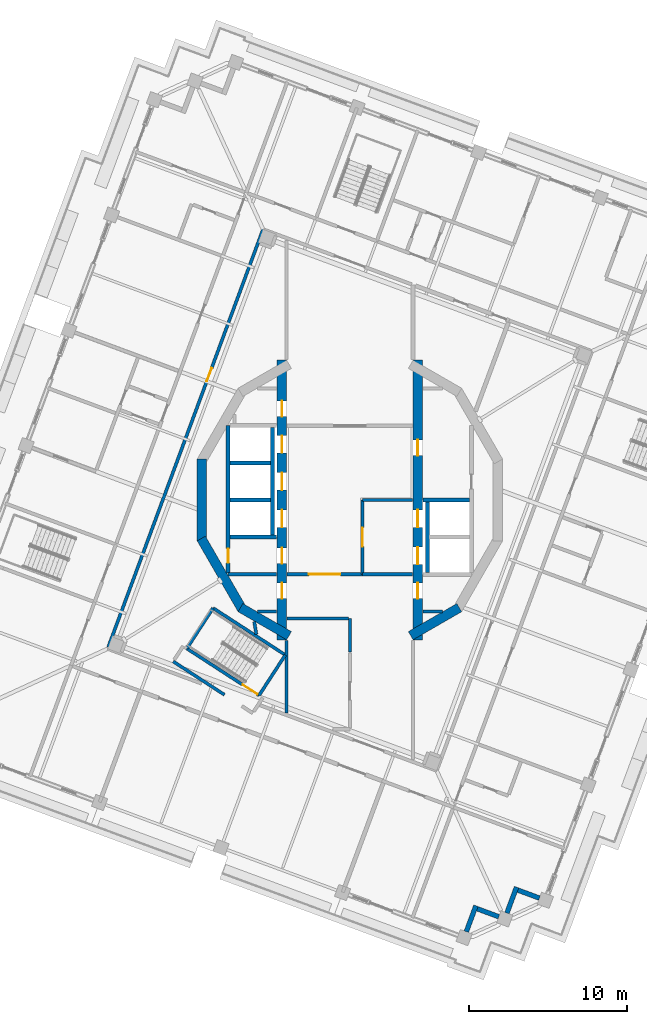
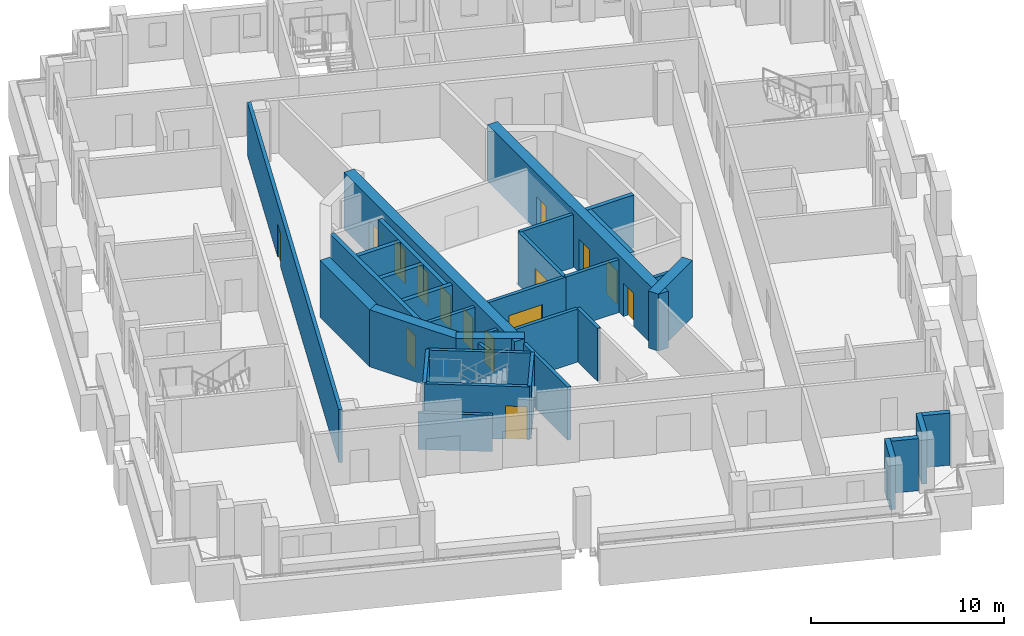
# One storey, part 5 of 18: 34 walls, 15 doors, 15 openings.
"""IFC4 building model written with IfcOpenShell, lengths in metres."""

import ifcopenshell
import ifcopenshell.guid

model = None  # the IFC model being written
_history = None  # IfcOwnerHistory: only IFC2X3 demands one
_inside = {}  # id of a spatial element -> (the spatial element, [elements in it])
_under = {}  # id of a project, library or spatial element -> (it, [spatial elements below it])
_declared = {}  # id of a project -> (the project, [libraries it declares])
_typed = {}  # id of a type object -> (the type object, [elements of that type])
_made_of = {}  # id of a material, layer set ... -> (it, [elements and type objects made of it])


def new_model(schema):
    """Start an empty IFC model of exactly this schema.

    Asked for "IFC4X3", IfcOpenShell would pick the latest addendum, in which some entities
    have other attributes; the version numbers below select the first issue.
    IFC2X3 requires an IfcOwnerHistory on every rooted entity: one is made here for all.
    """
    global model, _history
    if schema == "IFC4X3":
        model = ifcopenshell.file(schema_version=(4, 3, 0, 0))
    else:
        model = ifcopenshell.file(schema=schema)
    _inside.clear()
    _under.clear()
    _declared.clear()
    _typed.clear()
    _made_of.clear()
    _history = None
    if model.schema == "IFC2X3":
        org = make("IfcOrganization", Name="unknown")
        user = make(
            "IfcPersonAndOrganization",
            ThePerson=make("IfcPerson", FamilyName="unknown"),
            TheOrganization=org,
        )
        app = make(
            "IfcApplication",
            ApplicationDeveloper=org,
            Version="unknown",
            ApplicationFullName="unknown",
            ApplicationIdentifier="unknown",
        )
        _history = make(
            "IfcOwnerHistory",
            OwningUser=user,
            OwningApplication=app,
            ChangeAction="ADDED",
            CreationDate=0,
        )
    return model


def make(cls, **values):
    """One entity of the class cls with the attributes given. An attribute that is None is left unset."""
    return model.create_entity(
        cls, **{name: value for name, value in values.items() if value is not None}
    )


def rooted(cls, **values):
    """An entity with a GlobalId (a new one), such as an element, a storey or a relation."""
    return make(cls, GlobalId=ifcopenshell.guid.new(), OwnerHistory=_history, **values)


def si_unit(unit_type, name, prefix=None):
    """IfcSIUnit, for example si_unit("LENGTHUNIT", "METRE", prefix="MILLI")."""
    return make("IfcSIUnit", UnitType=unit_type, Prefix=prefix, Name=name)


def assignment(units):
    """IfcUnitAssignment: the units of a project."""
    return None if units is None else make("IfcUnitAssignment", Units=units)


def point(xyz):
    """IfcCartesianPoint."""
    return None if xyz is None else make("IfcCartesianPoint", Coordinates=xyz)


def direction(xyz):
    """IfcDirection."""
    return None if xyz is None else make("IfcDirection", DirectionRatios=xyz)


def frame(location, z_axis=None, x_axis=None):
    """IfcAxis2Placement3D, a coordinate frame: its origin and axes. An axis left out is left unset."""
    return make(
        "IfcAxis2Placement3D",
        Location=point(location),
        Axis=direction(z_axis),
        RefDirection=direction(x_axis),
    )


def frame_2d(location, x_axis=None):
    """IfcAxis2Placement2D, a coordinate frame in the plane: its origin and x axis."""
    return make(
        "IfcAxis2Placement2D", Location=point(location), RefDirection=direction(x_axis)
    )


def origin():
    """The frame at (0, 0, 0) with its axes left unset."""
    return frame((0.0, 0.0, 0.0))


def place(relative_to, where):
    """IfcLocalPlacement: puts the frame where relative to a parent placement (None: the world)."""
    return make(
        "IfcLocalPlacement", PlacementRelTo=relative_to, RelativePlacement=where
    )


def context(
    kind, dimensions, precision=None, world=None, true_north=None, identifier=None
):
    """IfcGeometricRepresentationContext, for example the 3D "Model" context."""
    return make(
        "IfcGeometricRepresentationContext",
        ContextIdentifier=identifier,
        ContextType=kind,
        CoordinateSpaceDimension=dimensions,
        Precision=precision,
        WorldCoordinateSystem=world,
        TrueNorth=true_north,
    )


def subcontext(parent, identifier, kind, view, scale=None):
    """IfcGeometricRepresentationSubContext, for example "Body" below "Model"."""
    return make(
        "IfcGeometricRepresentationSubContext",
        ContextIdentifier=identifier,
        ContextType=kind,
        ParentContext=parent,
        TargetScale=scale,
        TargetView=view,
    )


def project(units=None, contexts=None):
    """IfcProject with its units and contexts."""
    return rooted(
        "IfcProject",
        Name="project",
        RepresentationContexts=contexts,
        UnitsInContext=assignment(units),
    )


def spatial(cls, under=None, at=None, **own):
    """A site, building, storey or space (cls), placed at a placement, below another one or the project."""
    s = rooted(cls, ObjectPlacement=at, **own)
    if under is not None:
        _under.setdefault(under.id(), (under, []))[1].append(s)
    return s


def profile(cls, at=None, kind="AREA", **sizes):
    """A parametric profile (cls). Its sizes go by their IFC names, for example OverallWidth=200.0."""
    return make(cls, ProfileType=kind, Position=at, **sizes)


def rectangle(**sizes):
    """IfcRectangleProfileDef."""
    return profile("IfcRectangleProfileDef", **sizes)


def extrude(swept, where, along, depth):
    """IfcExtrudedAreaSolid: the profile swept, set in the frame where, extruded along a direction by depth."""
    return make(
        "IfcExtrudedAreaSolid",
        SweptArea=swept,
        Position=where,
        ExtrudedDirection=direction(along),
        Depth=depth,
    )


def shape(context_of_items, identifier, shape_type, items):
    """IfcShapeRepresentation: the items that make up one representation, for example the "Body"."""
    return make(
        "IfcShapeRepresentation",
        ContextOfItems=context_of_items,
        RepresentationIdentifier=identifier,
        RepresentationType=shape_type,
        Items=items,
    )


def material(Name=None, Category=None):
    """IfcMaterial."""
    return make("IfcMaterial", Name=Name, Category=Category)


def layer(
    of_material, thickness, ventilated=None, Name=None, Category=None, Priority=None
):
    """IfcMaterialLayer: one layer of a wall or slab, of a material (None: an air gap)."""
    return make(
        "IfcMaterialLayer",
        Material=of_material,
        LayerThickness=thickness,
        IsVentilated=ventilated,
        Name=Name,
        Category=Category,
        Priority=Priority,
    )


def layer_set(layers, Name=None):
    """IfcMaterialLayerSet."""
    return make("IfcMaterialLayerSet", MaterialLayers=layers, LayerSetName=Name)


def made_of(thing, what):
    """Note that an element or type object is made of a material, layer set ...; save() writes the relation."""
    if what is not None:
        _made_of.setdefault(what.id(), (what, []))[1].append(thing)
    return thing


def type_object(cls, material=None, **own):
    """A type object (cls), such as IfcWallType, which elements share."""
    return made_of(rooted(cls, **own), material)


def element(
    cls,
    number,
    at=None,
    inside=None,
    cuts=None,
    type_object=None,
    material=None,
    context=None,
    identifier="Body",
    shape_type=None,
    held_by="IfcProductDefinitionShape",
    body=None,
    shapes=None,
    **own,
):
    """One element of the class cls, such as IfcWall. Its Tag is "e" and its number.

    at: its placement. inside: the storey or other place that contains it. cuts: it is an
    opening in that element (IfcRelVoidsElement). A single representation is given by context,
    identifier, shape_type and body (its items); several are given by shapes. held_by: the class
    of the entity that holds the representations. save() writes the other relations.
    """
    e = rooted(cls, Tag="e%d" % number, ObjectPlacement=at, **own)
    if body is not None:
        shapes = [shape(context, identifier, shape_type, body)]
    if shapes is not None:
        e.Representation = make(held_by, Representations=shapes)
    if inside is not None:
        _inside.setdefault(inside.id(), (inside, []))[1].append(e)
    if cuts is not None:
        rooted(
            "IfcRelVoidsElement", RelatingBuildingElement=cuts, RelatedOpeningElement=e
        )
    if type_object is not None:
        _typed.setdefault(type_object.id(), (type_object, []))[1].append(e)
    return made_of(e, material)


def fill(opening, filler):
    """IfcRelFillsElement: the door or window that sits in an opening."""
    return rooted(
        "IfcRelFillsElement",
        RelatingOpeningElement=opening,
        RelatedBuildingElement=filler,
    )


def aggregate(whole, parts):
    """IfcRelAggregates: a whole, such as a stair, and the parts it consists of."""
    return rooted("IfcRelAggregates", RelatingObject=whole, RelatedObjects=parts)


def save(model, path):
    """Write the relations noted so far, then the file.

    IfcRelAggregates (storeys below a building ...), IfcRelContainedInSpatialStructure (elements
    in a storey), IfcRelDefinesByType, IfcRelAssociatesMaterial and IfcRelDeclares: one each for
    every whole, place, type object, material and project.
    """
    for whole, parts in _under.values():
        aggregate(whole, parts)
    for where, things in _inside.values():
        rooted(
            "IfcRelContainedInSpatialStructure",
            RelatedElements=things,
            RelatingStructure=where,
        )
    for kind, things in _typed.values():
        rooted("IfcRelDefinesByType", RelatedObjects=things, RelatingType=kind)
    for what, things in _made_of.values():
        rooted("IfcRelAssociatesMaterial", RelatedObjects=things, RelatingMaterial=what)
    for by, libraries in _declared.values():
        rooted("IfcRelDeclares", RelatingContext=by, RelatedDefinitions=libraries)
    model.write(path)


model = new_model("IFC4")

# Units and contexts
model_context = context("Model", 3, precision=1e-05, world=origin(), true_north=direction((0.0, 1.0)))
body_context = subcontext(model_context, "Body", "Model", "MODEL_VIEW")
ifc_project = project(units=[si_unit("LENGTHUNIT", "METRE"), si_unit("AREAUNIT", "SQUARE_METRE"), si_unit("VOLUMEUNIT", "CUBIC_METRE"), si_unit("PLANEANGLEUNIT", "RADIAN"), si_unit("MASSUNIT", "GRAM", prefix="KILO")], contexts=[model_context])

# Site, building, storey
site_placement = place(None, origin())
site = spatial("IfcSite", under=ifc_project, at=site_placement, CompositionType="ELEMENT")
building_placement = place(site_placement, origin())
building = spatial("IfcBuilding", under=site, at=building_placement, Name="Cantera Rosa Tower", CompositionType="ELEMENT")
storey_placement = place(building_placement, frame((0.0, 0.0, 316.89990234375)))
storey = spatial("IfcBuildingStorey", under=building, at=storey_placement, Name="L70", CompositionType="ELEMENT", Elevation=316.89990234375)

# Wall
ifc_material_1 = material(Name="Gypsum board partition")
ifc_layer_1 = layer(ifc_material_1, 0.199951171875)
ifc_layer_set_1 = layer_set([ifc_layer_1], Name="CORRIDOR WALL 200 H2300")
wall_type_1 = type_object("IfcWallType", Name="CORRIDOR WALL 200 H2300", PredefinedType="PARTITIONING", material=ifc_layer_set_1)
wall_1_placement = place(storey_placement, frame((-11.177490234375, -10.216552734375, 0.0), z_axis=(0.0, 0.0, 1.0), x_axis=(0.83867589464, -0.544630832537, 0.0)))
element("IfcWall", 1, at=wall_1_placement, inside=storey, type_object=wall_type_1, Name="CORRIDOR WALL L70-018", PredefinedType="PARTITIONING", context=body_context, shape_type="SweptSolid", body=[
    extrude(rectangle(XDim=3.864990234375, YDim=0.199951171875, at=frame_2d((1.9326171875, 0.0))), origin(), (0.0, 0.0, 1.0), 2.300048828125),
])

# Wall, opening, door
ifc_material_2 = material(Name="Gypsum board partition")
ifc_layer_2 = layer(ifc_material_2, 0.199951171875)
ifc_layer_set_2 = layer_set([ifc_layer_2], Name="CORRIDOR WALL 200 H3350")
wall_type_2 = type_object("IfcWallType", Name="CORRIDOR WALL 200 H3350", PredefinedType="PARTITIONING", material=ifc_layer_set_2)
wall_2_placement = place(storey_placement, frame((-5.491455078125, 17.125244140625, 0.0), z_axis=(0.0, 0.0, 1.0), x_axis=(-0.347478457093, -0.937687966147, 0.0)))
wall_2 = element("IfcWall", 2, at=wall_2_placement, inside=storey, type_object=wall_type_2, Name="CORRIDOR WALL L70-042", PredefinedType="PARTITIONING", context=body_context, shape_type="SweptSolid", body=[
    extrude(rectangle(XDim=28.19970703125, YDim=0.199951171875, at=frame_2d((14.099853515625, 0.0))), origin(), (0.0, 0.0, 1.0), 3.35009765625),
])
opening_1_placement = place(wall_2_placement, frame((9.35498046875, 0.0, 0.0)))
opening_1 = element("IfcOpeningElement", 3, at=opening_1_placement, cuts=wall_2, Name="Opening L70-006", PredefinedType="OPENING", context=body_context, shape_type="SweptSolid", body=[
    extrude(rectangle(XDim=0.89990234375, YDim=2.10009765625, at=frame_2d((0.449951171875, 1.050048828125))), frame((0.0, 0.10986328125, 0.0), z_axis=(0.0, -1.0, 0.0), x_axis=(1.0, 0.0, 0.0)), (0.0, 0.0, 1.0), 0.219970703125),
])
ifc_material_3 = material(Name="Timber door leaf", Category="wood")
door_type_1 = type_object("IfcDoorType", Name="SERVICE DOOR 900x2100", OperationType="NOTDEFINED", PredefinedType="DOOR", material=ifc_material_3)
door_1_placement = place(opening_1_placement, origin())
door_1 = element("IfcDoor", 4, at=door_1_placement, inside=storey, type_object=door_type_1, Name="DOOR L70-006", OperationType="NOTDEFINED", OverallHeight=2.10009765625, OverallWidth=0.89990234375, PredefinedType="DOOR", context=body_context, shape_type="SweptSolid", body=[
    extrude(rectangle(XDim=0.89990234375, YDim=2.10009765625, at=frame_2d((0.449951171875, 1.050048828125))), frame((0.0, 0.02490234375, 0.0), z_axis=(0.0, -1.0, 0.0), x_axis=(1.0, 0.0, 0.0)), (0.0, 0.0, 1.0), 0.050048828125),
])
fill(opening_1, door_1)

# Walls
wall_3_placement = place(storey_placement, frame((0.0, -9.62939453125, 0.0), z_axis=(0.0, 0.0, 1.0), x_axis=(0.0, 1.0, 0.0)))
element("IfcWall", 5, at=wall_3_placement, inside=storey, type_object=wall_type_2, Name="CORRIDOR WALL L70-056", PredefinedType="PARTITIONING", context=body_context, shape_type="SweptSolid", body=[
    extrude(rectangle(XDim=2.12939453125, YDim=0.199951171875, at=frame_2d((1.064697265625, 0.0))), origin(), (0.0, 0.0, 1.0), 3.35009765625),
])
wall_4_placement = place(storey_placement, frame((-0.10009765625, -7.5, 0.0), z_axis=(0.0, 0.0, 1.0), x_axis=(-1.0, 0.0, 0.0)))
element("IfcWall", 6, at=wall_4_placement, inside=storey, type_object=wall_type_2, Name="CORRIDOR WALL L70-057", PredefinedType="PARTITIONING", context=body_context, shape_type="SweptSolid", body=[
    extrude(rectangle(XDim=3.869873046875, YDim=0.199951171875, at=frame_2d((1.93505859375, 0.0))), origin(), (0.0, 0.0, 1.0), 3.35009765625),
])

# Wall, opening, door
wall_5_placement = place(storey_placement, frame((0.800048828125, -4.699951171875, 0.0), z_axis=(0.0, 0.0, 1.0), x_axis=(-1.0, 0.0, 0.0)))
wall_5 = element("IfcWall", 7, at=wall_5_placement, inside=storey, type_object=wall_type_2, Name="CORRIDOR WALL L70-059", PredefinedType="PARTITIONING", context=body_context, shape_type="SweptSolid", body=[
    extrude(rectangle(XDim=4.77001953125, YDim=0.199951171875, at=frame_2d((2.385009765625, 0.0))), origin(), (0.0, 0.0, 1.0), 3.35009765625),
])
opening_2_placement = place(wall_5_placement, frame((1.39990234375, 0.0, 0.0)))
opening_2 = element("IfcOpeningElement", 8, at=opening_2_placement, cuts=wall_5, Name="Opening L70-012", PredefinedType="OPENING", context=body_context, shape_type="SweptSolid", body=[
    extrude(rectangle(XDim=2.0, YDim=2.10009765625, at=frame_2d((1.0, 1.050048828125))), frame((0.0, 0.10986328125, 0.0), z_axis=(0.0, -1.0, 0.0), x_axis=(1.0, 0.0, 0.0)), (0.0, 0.0, 1.0), 0.219970703125),
])
ifc_material_4 = material(Name="Steel S355J2 (EN 10025-2)", Category="steel")
door_type_2 = type_object("IfcDoorType", Name="LOBBY SCREEN DOOR 2000x2100", OperationType="NOTDEFINED", PredefinedType="DOOR", material=ifc_material_4)
door_2_placement = place(opening_2_placement, origin())
door_2 = element("IfcDoor", 9, at=door_2_placement, inside=storey, type_object=door_type_2, Name="DOOR L70-012", OperationType="NOTDEFINED", OverallHeight=2.10009765625, OverallWidth=2.0, PredefinedType="DOOR", context=body_context, shape_type="SweptSolid", body=[
    extrude(rectangle(XDim=2.0, YDim=2.10009765625, at=frame_2d((1.0, 1.050048828125))), frame((0.0, 0.02490234375, 0.0), z_axis=(0.0, -1.0, 0.0), x_axis=(1.0, 0.0, 0.0)), (0.0, 0.0, 1.0), 0.050048828125),
])
fill(opening_2, door_2)

# Walls
ifc_material_5 = material(Name="Hollow clay masonry with cantera stone cladding", Category="masonry")
ifc_layer_3 = layer(ifc_material_5, 0.300048828125)
ifc_layer_set_3 = layer_set([ifc_layer_3], Name="EW-LOGGIA 300")
wall_type_3 = type_object("IfcWallType", Name="EW-LOGGIA 300", PredefinedType="SOLIDWALL", material=ifc_layer_set_3)
wall_6_placement = place(storey_placement, frame((7.36865234375, -27.312255859375, 0.0), z_axis=(0.0, 0.0, 1.0), x_axis=(0.34752790836, 0.937669639538, 0.0)))
element("IfcWall", 10, at=wall_6_placement, inside=storey, type_object=wall_type_3, Name="EN-L70-W18a", PredefinedType="SOLIDWALL", context=body_context, shape_type="SweptSolid", body=[
    extrude(rectangle(XDim=1.75, YDim=0.300048828125, at=frame_2d((0.875, 0.0))), origin(), (0.0, 0.0, 1.0), 3.300048828125),
])
wall_7_placement = place(storey_placement, frame((8.065185546875, -25.8642578125, 0.0), z_axis=(0.0, 0.0, 1.0), x_axis=(0.937671557958, -0.347522732201, 0.0)))
element("IfcWall", 11, at=wall_7_placement, inside=storey, type_object=wall_type_3, Name="EN-L70-W18b", PredefinedType="SOLIDWALL", context=body_context, shape_type="SweptSolid", body=[
    extrude(rectangle(XDim=1.449951171875, YDim=0.300048828125, at=frame_2d((0.72509765625, 0.0))), origin(), (0.0, 0.0, 1.0), 3.300048828125),
])
wall_8_placement = place(storey_placement, frame((9.93896484375, -26.132080078125, 0.0), z_axis=(0.0, 0.0, 1.0), x_axis=(0.34748245117, 0.937686486054, 0.0)))
element("IfcWall", 12, at=wall_8_placement, inside=storey, type_object=wall_type_3, Name="EN-L70-W19a", PredefinedType="SOLIDWALL", context=body_context, shape_type="SweptSolid", body=[
    extrude(rectangle(XDim=1.750244140625, YDim=0.300048828125, at=frame_2d((0.875, 0.0))), origin(), (0.0, 0.0, 1.0), 3.300048828125),
])
wall_9_placement = place(storey_placement, frame((10.635498046875, -24.683837890625, 0.0), z_axis=(0.0, 0.0, 1.0), x_axis=(0.937671557958, -0.347522732201, 0.0)))
element("IfcWall", 13, at=wall_9_placement, inside=storey, type_object=wall_type_3, Name="EN-L70-W19b", PredefinedType="SOLIDWALL", context=body_context, shape_type="SweptSolid", body=[
    extrude(rectangle(XDim=1.449951171875, YDim=0.300048828125, at=frame_2d((0.72509765625, 0.0))), origin(), (0.0, 0.0, 1.0), 3.300048828125),
])
ifc_material_6 = material(Name="Gypsum board partition")
ifc_layer_4 = layer(ifc_material_6, 0.199951171875)
ifc_layer_set_4 = layer_set([ifc_layer_4], Name="PARTITION 200 H3350")
wall_type_4 = type_object("IfcWallType", Name="PARTITION 200 H3350", PredefinedType="PARTITIONING", material=ifc_layer_set_4)
wall_10_placement = place(storey_placement, frame((-7.699951171875, -4.699951171875, 0.0), z_axis=(0.0, 0.0, 1.0), x_axis=(1.0, 0.0, 0.0)))
element("IfcWall", 14, at=wall_10_placement, inside=storey, type_object=wall_type_4, Name="PARTITION L70-028", PredefinedType="PARTITIONING", context=body_context, shape_type="SweptSolid", body=[
    extrude(rectangle(XDim=3.070068359375, YDim=0.199951171875, at=frame_2d((1.53515625, 0.0))), origin(), (0.0, 0.0, 1.0), 3.35009765625),
])
wall_11_placement = place(storey_placement, frame((-6.05078125, -7.694580078125, 0.0), z_axis=(0.0, 0.0, 1.0), x_axis=(0.164690324197, -0.986345323462, 0.0)))
element("IfcWall", 15, at=wall_11_placement, inside=storey, type_object=wall_type_4, Name="PARTITION L70-038", PredefinedType="PARTITIONING", context=body_context, shape_type="SweptSolid", body=[
    extrude(rectangle(XDim=0.8154296875, YDim=0.199951171875, at=frame_2d((0.40771484375, 0.0))), origin(), (0.0, 0.0, 1.0), 3.35009765625),
])
wall_12_placement = place(storey_placement, frame((-4.6298828125, -7.050048828125, 0.0), z_axis=(0.0, 0.0, 1.0), x_axis=(-1.0, 0.0, 0.0)))
element("IfcWall", 16, at=wall_12_placement, inside=storey, type_object=wall_type_4, Name="PARTITION L70-045", PredefinedType="PARTITIONING", context=body_context, shape_type="SweptSolid", body=[
    extrude(rectangle(XDim=1.2177734375, YDim=0.199951171875, at=frame_2d((0.60888671875, 0.0))), origin(), (0.0, 0.0, 1.0), 3.35009765625),
])
wall_13_placement = place(storey_placement, frame((-4.0, -13.468017578125, 0.0), z_axis=(0.0, 0.0, 1.0), x_axis=(0.0, 1.0, 0.0)))
element("IfcWall", 17, at=wall_13_placement, inside=storey, type_object=wall_type_4, Name="PARTITION L70-048", PredefinedType="PARTITIONING", context=body_context, shape_type="SweptSolid", body=[
    extrude(rectangle(XDim=4.589111328125, YDim=0.199951171875, at=frame_2d((2.29443359375, 0.0))), origin(), (0.0, 0.0, 1.0), 3.35009765625),
])
wall_14_placement = place(storey_placement, frame((5.84765625, -7.050048828125, 0.0), z_axis=(0.0, 0.0, 1.0), x_axis=(-1.0, 0.0, 0.0)))
element("IfcWall", 18, at=wall_14_placement, inside=storey, type_object=wall_type_4, Name="PARTITION L70-076", PredefinedType="PARTITIONING", context=body_context, shape_type="SweptSolid", body=[
    extrude(rectangle(XDim=1.2177734375, YDim=0.199951171875, at=frame_2d((0.60888671875, 0.0))), origin(), (0.0, 0.0, 1.0), 3.35009765625),
])
ifc_material_7 = material(Name="Concrete C50/60", Category="concrete")
ifc_layer_5 = layer(ifc_material_7, 0.60009765625)
ifc_layer_set_5 = layer_set([ifc_layer_5], Name="RC CORE WALL 600 C50/60")
wall_type_5 = type_object("IfcWallType", Name="RC CORE WALL 600 C50/60", PredefinedType="SHEAR", material=ifc_layer_set_5)
wall_15_placement = place(storey_placement, frame((-3.85009765625, -8.584228515625, 0.0), z_axis=(0.0, 0.0, 1.0), x_axis=(-0.866039982607, 0.499974747889, 0.0)))
element("IfcWall", 19, at=wall_15_placement, inside=storey, type_object=wall_type_5, Name="CW-W1 L70", PredefinedType="SHEAR", context=body_context, shape_type="SweptSolid", body=[
    extrude(rectangle(XDim=3.546142578125, YDim=0.60009765625, at=frame_2d((1.77294921875, 0.0))), origin(), (0.0, 0.0, 1.0), 3.60009765625),
])
for number, where, z_axis, x_axis, name in (
    (20, (-6.811279296875, -6.921142578125, 0.0), (0.0, 0.0, 1.0), (-0.499989188378, 0.866031645787, 0.0), "CW-W2 L70"),
    (21, (-9.359375, -2.588134765625, 0.0), (0.0, 0.0, 1.0), (0.0, 1.0, 0.0), "CW-W3 L70"),
):
    element("IfcWall", number, at=place(storey_placement, frame(where, z_axis=z_axis, x_axis=x_axis)), inside=storey, type_object=wall_type_5, Name=name, PredefinedType="SHEAR", context=body_context, shape_type="SweptSolid", body=[
        extrude(rectangle(XDim=5.17626953125, YDim=0.60009765625, at=frame_2d((2.588134765625, 0.0))), origin(), (0.0, 0.0, 1.0), 3.60009765625),
    ])

# Wall, openings, doors
wall_16_placement = place(storey_placement, frame((-4.300048828125, 8.84423828125, 0.0), z_axis=(0.0, 0.0, 1.0), x_axis=(0.0, -1.0, 0.0)))
wall_16 = element("IfcWall", 22, at=wall_16_placement, inside=storey, type_object=wall_type_5, Name="CW-W6 L70", PredefinedType="SHEAR", context=body_context, shape_type="SweptSolid", body=[
    extrude(rectangle(XDim=17.6884765625, YDim=0.60009765625, at=frame_2d((8.84423828125, 0.0))), origin(), (0.0, 0.0, 1.0), 3.60009765625),
])
opening_3_placement = place(wall_16_placement, frame((9.468994140625, 0.0, 0.0)))
opening_3 = element("IfcOpeningElement", 23, at=opening_3_placement, cuts=wall_16, Name="Opening LD-H1-L70", PredefinedType="OPENING", context=body_context, shape_type="SweptSolid", body=[
    extrude(rectangle(XDim=1.10009765625, YDim=2.10009765625, at=frame_2d((0.550048828125, 1.050048828125))), frame((0.0, 0.31005859375, 0.0), z_axis=(0.0, -1.0, 0.0), x_axis=(1.0, 0.0, 0.0)), (0.0, 0.0, 1.0), 0.6201171875),
])
opening_4_placement = place(wall_16_placement, frame((7.119140625, 0.0, 0.0)))
opening_4 = element("IfcOpeningElement", 24, at=opening_4_placement, cuts=wall_16, Name="Opening LD-H2-L70", PredefinedType="OPENING", context=body_context, shape_type="SweptSolid", body=[
    extrude(rectangle(XDim=1.10009765625, YDim=2.10009765625, at=frame_2d((0.550048828125, 1.050048828125))), frame((0.0, 0.31005859375, 0.0), z_axis=(0.0, -1.0, 0.0), x_axis=(1.0, 0.0, 0.0)), (0.0, 0.0, 1.0), 0.6201171875),
])
opening_5_placement = place(wall_16_placement, frame((4.76904296875, 0.0, 0.0)))
opening_5 = element("IfcOpeningElement", 25, at=opening_5_placement, cuts=wall_16, Name="Opening LD-H3-L70", PredefinedType="OPENING", context=body_context, shape_type="SweptSolid", body=[
    extrude(rectangle(XDim=1.10009765625, YDim=2.10009765625, at=frame_2d((0.550048828125, 1.050048828125))), frame((0.0, 0.31005859375, 0.0), z_axis=(0.0, -1.0, 0.0), x_axis=(1.0, 0.0, 0.0)), (0.0, 0.0, 1.0), 0.6201171875),
])
opening_6_placement = place(wall_16_placement, frame((14.091552734375, 0.0, 0.0)))
opening_6 = element("IfcOpeningElement", 26, at=opening_6_placement, cuts=wall_16, Name="Opening SD-L70-15", PredefinedType="OPENING", context=body_context, shape_type="SweptSolid", body=[
    extrude(rectangle(XDim=1.0, YDim=2.10009765625, at=frame_2d((0.5, 1.050048828125))), frame((0.0, 0.31005859375, 0.0), z_axis=(0.0, -1.0, 0.0), x_axis=(1.0, 0.0, 0.0)), (0.0, 0.0, 1.0), 0.6201171875),
])
opening_7_placement = place(wall_16_placement, frame((2.572265625, 0.0, 0.0)))
opening_7 = element("IfcOpeningElement", 27, at=opening_7_placement, cuts=wall_16, Name="Opening SD-L70-16", PredefinedType="OPENING", context=body_context, shape_type="SweptSolid", body=[
    extrude(rectangle(XDim=1.0, YDim=2.10009765625, at=frame_2d((0.5, 1.050048828125))), frame((0.0, 0.31005859375, 0.0), z_axis=(0.0, -1.0, 0.0), x_axis=(1.0, 0.0, 0.0)), (0.0, 0.0, 1.0), 0.6201171875),
])
opening_8_placement = place(wall_16_placement, frame((11.869140625, 0.0, 0.0)))
opening_8 = element("IfcOpeningElement", 28, at=opening_8_placement, cuts=wall_16, Name="Opening SD-L70-17", PredefinedType="OPENING", context=body_context, shape_type="SweptSolid", body=[
    extrude(rectangle(XDim=1.0, YDim=2.10009765625, at=frame_2d((0.5, 1.050048828125))), frame((0.0, 0.31005859375, 0.0), z_axis=(0.0, -1.0, 0.0), x_axis=(1.0, 0.0, 0.0)), (0.0, 0.0, 1.0), 0.6201171875),
])
ifc_material_8 = material(Name="Steel S355J2 (EN 10025-2)", Category="steel")
door_type_3 = type_object("IfcDoorType", Name="LANDING DOOR 1100x2100", OperationType="NOTDEFINED", PredefinedType="DOOR", material=ifc_material_8)
door_3_placement = place(opening_3_placement, origin())
door_3 = element("IfcDoor", 29, at=door_3_placement, inside=storey, type_object=door_type_3, Name="LANDING DOOR H1 L70", OperationType="SLIDING_TO_LEFT", OverallHeight=2.10009765625, OverallWidth=1.10009765625, PredefinedType="DOOR", context=body_context, shape_type="SweptSolid", body=[
    extrude(rectangle(XDim=1.10009765625, YDim=2.10009765625, at=frame_2d((0.550048828125, 1.050048828125))), frame((0.0, 0.02490234375, 0.0), z_axis=(0.0, -1.0, 0.0), x_axis=(1.0, 0.0, 0.0)), (0.0, 0.0, 1.0), 0.050048828125),
])
fill(opening_3, door_3)
door_4_placement = place(opening_4_placement, origin())
door_4 = element("IfcDoor", 30, at=door_4_placement, inside=storey, type_object=door_type_3, Name="LANDING DOOR H2 L70", OperationType="SLIDING_TO_LEFT", OverallHeight=2.10009765625, OverallWidth=1.10009765625, PredefinedType="DOOR", context=body_context, shape_type="SweptSolid", body=[
    extrude(rectangle(XDim=1.10009765625, YDim=2.10009765625, at=frame_2d((0.550048828125, 1.050048828125))), frame((0.0, 0.02490234375, 0.0), z_axis=(0.0, -1.0, 0.0), x_axis=(1.0, 0.0, 0.0)), (0.0, 0.0, 1.0), 0.050048828125),
])
fill(opening_4, door_4)
door_5_placement = place(opening_5_placement, origin())
door_5 = element("IfcDoor", 31, at=door_5_placement, inside=storey, type_object=door_type_3, Name="LANDING DOOR H3 L70", OperationType="SLIDING_TO_LEFT", OverallHeight=2.10009765625, OverallWidth=1.10009765625, PredefinedType="DOOR", context=body_context, shape_type="SweptSolid", body=[
    extrude(rectangle(XDim=1.10009765625, YDim=2.10009765625, at=frame_2d((0.550048828125, 1.050048828125))), frame((0.0, 0.02490234375, 0.0), z_axis=(0.0, -1.0, 0.0), x_axis=(1.0, 0.0, 0.0)), (0.0, 0.0, 1.0), 0.050048828125),
])
fill(opening_5, door_5)
ifc_material_9 = material(Name="Timber door leaf", Category="wood")
door_type_4 = type_object("IfcDoorType", Name="SERVICE DOOR 1000x2100", OperationType="NOTDEFINED", PredefinedType="DOOR", material=ifc_material_9)
door_6_placement = place(opening_6_placement, origin())
door_6 = element("IfcDoor", 32, at=door_6_placement, inside=storey, type_object=door_type_4, Name="DOOR L70-SD15", OperationType="NOTDEFINED", OverallHeight=2.10009765625, OverallWidth=1.0, PredefinedType="DOOR", context=body_context, shape_type="SweptSolid", body=[
    extrude(rectangle(XDim=1.0, YDim=2.10009765625, at=frame_2d((0.5, 1.050048828125))), frame((0.0, 0.02490234375, 0.0), z_axis=(0.0, -1.0, 0.0), x_axis=(1.0, 0.0, 0.0)), (0.0, 0.0, 1.0), 0.050048828125),
])
fill(opening_6, door_6)
door_7_placement = place(opening_7_placement, origin())
door_7 = element("IfcDoor", 33, at=door_7_placement, inside=storey, type_object=door_type_4, Name="DOOR L70-SD16", OperationType="NOTDEFINED", OverallHeight=2.10009765625, OverallWidth=1.0, PredefinedType="DOOR", context=body_context, shape_type="SweptSolid", body=[
    extrude(rectangle(XDim=1.0, YDim=2.10009765625, at=frame_2d((0.5, 1.050048828125))), frame((0.0, 0.02490234375, 0.0), z_axis=(0.0, -1.0, 0.0), x_axis=(1.0, 0.0, 0.0)), (0.0, 0.0, 1.0), 0.050048828125),
])
fill(opening_7, door_7)
door_8_placement = place(opening_8_placement, origin())
door_8 = element("IfcDoor", 34, at=door_8_placement, inside=storey, type_object=door_type_4, Name="DOOR L70-SD17", OperationType="NOTDEFINED", OverallHeight=2.10009765625, OverallWidth=1.0, PredefinedType="DOOR", context=body_context, shape_type="SweptSolid", body=[
    extrude(rectangle(XDim=1.0, YDim=2.10009765625, at=frame_2d((0.5, 1.050048828125))), frame((0.0, 0.02490234375, 0.0), z_axis=(0.0, -1.0, 0.0), x_axis=(1.0, 0.0, 0.0)), (0.0, 0.0, 1.0), 0.050048828125),
])
fill(opening_8, door_8)

# Wall
wall_17_placement = place(storey_placement, frame((6.921142578125, -6.811279296875, 0.0), z_axis=(0.0, 0.0, 1.0), x_axis=(-0.866039982607, -0.499974747889, 0.0)))
element("IfcWall", 35, at=wall_17_placement, inside=storey, type_object=wall_type_5, Name="CW-E5 L70", PredefinedType="SHEAR", context=body_context, shape_type="SweptSolid", body=[
    extrude(rectangle(XDim=3.546142578125, YDim=0.60009765625, at=frame_2d((1.77294921875, 0.0))), origin(), (0.0, 0.0, 1.0), 3.60009765625),
])

# Wall, openings, doors
wall_18_placement = place(storey_placement, frame((4.300048828125, -8.84423828125, 0.0), z_axis=(0.0, 0.0, 1.0), x_axis=(0.0, 1.0, 0.0)))
wall_18 = element("IfcWall", 36, at=wall_18_placement, inside=storey, type_object=wall_type_5, Name="CW-E6 L70", PredefinedType="SHEAR", context=body_context, shape_type="SweptSolid", body=[
    extrude(rectangle(XDim=17.6884765625, YDim=0.60009765625, at=frame_2d((8.84423828125, 0.0))), origin(), (0.0, 0.0, 1.0), 3.60009765625),
])
opening_9_placement = place(wall_18_placement, frame((4.76904296875, 0.0, 0.0)))
opening_9 = element("IfcOpeningElement", 37, at=opening_9_placement, cuts=wall_18, Name="Opening LD-FF1-L70", PredefinedType="OPENING", context=body_context, shape_type="SweptSolid", body=[
    extrude(rectangle(XDim=1.10009765625, YDim=2.10009765625, at=frame_2d((0.550048828125, 1.050048828125))), frame((0.0, 0.31005859375, 0.0), z_axis=(0.0, -1.0, 0.0), x_axis=(1.0, 0.0, 0.0)), (0.0, 0.0, 1.0), 0.6201171875),
])
opening_10_placement = place(wall_18_placement, frame((7.119140625, 0.0, 0.0)))
opening_10 = element("IfcOpeningElement", 38, at=opening_10_placement, cuts=wall_18, Name="Opening LD-FF2-L70", PredefinedType="OPENING", context=body_context, shape_type="SweptSolid", body=[
    extrude(rectangle(XDim=1.10009765625, YDim=2.10009765625, at=frame_2d((0.550048828125, 1.050048828125))), frame((0.0, 0.31005859375, 0.0), z_axis=(0.0, -1.0, 0.0), x_axis=(1.0, 0.0, 0.0)), (0.0, 0.0, 1.0), 0.6201171875),
])
opening_11_placement = place(wall_18_placement, frame((2.5966796875, 0.0, 0.0)))
opening_11 = element("IfcOpeningElement", 39, at=opening_11_placement, cuts=wall_18, Name="Opening SD-L70-18", PredefinedType="OPENING", context=body_context, shape_type="SweptSolid", body=[
    extrude(rectangle(XDim=1.0, YDim=2.10009765625, at=frame_2d((0.5, 1.050048828125))), frame((0.0, 0.31005859375, 0.0), z_axis=(0.0, -1.0, 0.0), x_axis=(1.0, 0.0, 0.0)), (0.0, 0.0, 1.0), 0.6201171875),
])
opening_12_placement = place(wall_18_placement, frame((11.6494140625, 0.0, 0.0)))
opening_12 = element("IfcOpeningElement", 40, at=opening_12_placement, cuts=wall_18, Name="Opening SD-L70-19", PredefinedType="OPENING", context=body_context, shape_type="SweptSolid", body=[
    extrude(rectangle(XDim=1.0, YDim=2.10009765625, at=frame_2d((0.5, 1.050048828125))), frame((0.0, 0.31005859375, 0.0), z_axis=(0.0, -1.0, 0.0), x_axis=(1.0, 0.0, 0.0)), (0.0, 0.0, 1.0), 0.6201171875),
])
door_9_placement = place(opening_9_placement, origin())
door_9 = element("IfcDoor", 41, at=door_9_placement, inside=storey, type_object=door_type_3, Name="LANDING DOOR FF1 L70", OperationType="SLIDING_TO_LEFT", OverallHeight=2.10009765625, OverallWidth=1.10009765625, PredefinedType="DOOR", context=body_context, shape_type="SweptSolid", body=[
    extrude(rectangle(XDim=1.10009765625, YDim=2.10009765625, at=frame_2d((0.550048828125, 1.050048828125))), frame((0.0, 0.02490234375, 0.0), z_axis=(0.0, -1.0, 0.0), x_axis=(1.0, 0.0, 0.0)), (0.0, 0.0, 1.0), 0.050048828125),
])
fill(opening_9, door_9)
door_10_placement = place(opening_10_placement, origin())
door_10 = element("IfcDoor", 42, at=door_10_placement, inside=storey, type_object=door_type_3, Name="LANDING DOOR FF2 L70", OperationType="SLIDING_TO_LEFT", OverallHeight=2.10009765625, OverallWidth=1.10009765625, PredefinedType="DOOR", context=body_context, shape_type="SweptSolid", body=[
    extrude(rectangle(XDim=1.10009765625, YDim=2.10009765625, at=frame_2d((0.550048828125, 1.050048828125))), frame((0.0, 0.02490234375, 0.0), z_axis=(0.0, -1.0, 0.0), x_axis=(1.0, 0.0, 0.0)), (0.0, 0.0, 1.0), 0.050048828125),
])
fill(opening_10, door_10)
door_11_placement = place(opening_11_placement, origin())
door_11 = element("IfcDoor", 43, at=door_11_placement, inside=storey, type_object=door_type_4, Name="DOOR L70-SD18", OperationType="NOTDEFINED", OverallHeight=2.10009765625, OverallWidth=1.0, PredefinedType="DOOR", context=body_context, shape_type="SweptSolid", body=[
    extrude(rectangle(XDim=1.0, YDim=2.10009765625, at=frame_2d((0.5, 1.050048828125))), frame((0.0, 0.02490234375, 0.0), z_axis=(0.0, -1.0, 0.0), x_axis=(1.0, 0.0, 0.0)), (0.0, 0.0, 1.0), 0.050048828125),
])
fill(opening_11, door_11)
door_12_placement = place(opening_12_placement, origin())
door_12 = element("IfcDoor", 44, at=door_12_placement, inside=storey, type_object=door_type_4, Name="DOOR L70-SD19", OperationType="NOTDEFINED", OverallHeight=2.10009765625, OverallWidth=1.0, PredefinedType="DOOR", context=body_context, shape_type="SweptSolid", body=[
    extrude(rectangle(XDim=1.0, YDim=2.10009765625, at=frame_2d((0.5, 1.050048828125))), frame((0.0, 0.02490234375, 0.0), z_axis=(0.0, -1.0, 0.0), x_axis=(1.0, 0.0, 0.0)), (0.0, 0.0, 1.0), 0.050048828125),
])
fill(opening_12, door_12)

# Walls
ifc_material_10 = material(Name="Masonry blockwork", Category="masonry")
ifc_layer_6 = layer(ifc_material_10, 0.25)
ifc_layer_set_6 = layer_set([ifc_layer_6], Name="SHAFT WALL 250 H3350")
wall_type_6 = type_object("IfcWallType", Name="SHAFT WALL 250 H3350", PredefinedType="SOLIDWALL", material=ifc_layer_set_6)
for number, where, z_axis, x_axis, name in (
    (45, (-7.574951171875, 0.0, 0.0), (0.0, 0.0, 1.0), (1.0, 0.0, 0.0), "SHAFT WALL L70-029"),
    (46, (-7.574951171875, 2.35009765625, 0.0), (0.0, 0.0, 1.0), (1.0, 0.0, 0.0), "SHAFT WALL L70-030"),
):
    element("IfcWall", number, at=place(storey_placement, frame(where, z_axis=z_axis, x_axis=x_axis)), inside=storey, type_object=wall_type_6, Name=name, PredefinedType="SOLIDWALL", context=body_context, shape_type="SweptSolid", body=[
        extrude(rectangle(XDim=2.554931640625, YDim=0.25, at=frame_2d((1.27734375, 0.0))), origin(), (0.0, 0.0, 1.0), 3.35009765625),
    ])

# Wall, opening, door
wall_19_placement = place(storey_placement, frame((-7.699951171875, 4.699951171875, 0.0), z_axis=(0.0, 0.0, 1.0), x_axis=(0.0, -1.0, 0.0)))
wall_19 = element("IfcWall", 47, at=wall_19_placement, inside=storey, type_object=wall_type_6, Name="SHAFT WALL L70-031", PredefinedType="SOLIDWALL", context=body_context, shape_type="SweptSolid", body=[
    extrude(rectangle(XDim=9.320068359375, YDim=0.25, at=frame_2d((4.66015625, 0.0))), origin(), (0.0, 0.0, 1.0), 3.35009765625),
])
opening_13_placement = place(wall_19_placement, frame((7.7705078125, 0.0, 0.0)))
opening_13 = element("IfcOpeningElement", 48, at=opening_13_placement, cuts=wall_19, Name="Opening L70-049", PredefinedType="OPENING", context=body_context, shape_type="SweptSolid", body=[
    extrude(rectangle(XDim=0.89990234375, YDim=2.10009765625, at=frame_2d((0.449951171875, 1.050048828125))), frame((0.0, 0.135009765625, 0.0), z_axis=(0.0, -1.0, 0.0), x_axis=(1.0, 0.0, 0.0)), (0.0, 0.0, 1.0), 0.27001953125),
])
door_13_placement = place(opening_13_placement, origin())
door_13 = element("IfcDoor", 49, at=door_13_placement, inside=storey, type_object=door_type_1, Name="RISER DOOR L70-049", OperationType="NOTDEFINED", OverallHeight=2.10009765625, OverallWidth=0.89990234375, PredefinedType="DOOR", context=body_context, shape_type="SweptSolid", body=[
    extrude(rectangle(XDim=0.89990234375, YDim=2.10009765625, at=frame_2d((0.449951171875, 1.050048828125))), frame((0.0, 0.02490234375, 0.0), z_axis=(0.0, -1.0, 0.0), x_axis=(1.0, 0.0, 0.0)), (0.0, 0.0, 1.0), 0.050048828125),
])
fill(opening_13, door_13)

# Walls
wall_20_placement = place(storey_placement, frame((-4.89990234375, -2.22509765625, 0.0), z_axis=(0.0, 0.0, 1.0), x_axis=(0.0, 1.0, 0.0)))
element("IfcWall", 50, at=wall_20_placement, inside=storey, type_object=wall_type_6, Name="SHAFT WALL L70-044", PredefinedType="SOLIDWALL", context=body_context, shape_type="SweptSolid", body=[
    extrude(rectangle(XDim=6.800048828125, YDim=0.25, at=frame_2d((3.39990234375, 0.0))), origin(), (0.0, 0.0, 1.0), 3.35009765625),
])
for number, where, z_axis, x_axis, name in (
    (51, (-4.6298828125, -2.35009765625, 0.0), (0.0, 0.0, 1.0), (-1.0, 0.0, 0.0), "SHAFT WALL L70-046"),
    (52, (4.6298828125, 0.0, 0.0), (0.0, 0.0, 1.0), (1.0, 0.0, 0.0), "SHAFT WALL L70-070"),
):
    element("IfcWall", number, at=place(storey_placement, frame(where, z_axis=z_axis, x_axis=x_axis)), inside=storey, type_object=wall_type_6, Name=name, PredefinedType="SOLIDWALL", context=body_context, shape_type="SweptSolid", body=[
        extrude(rectangle(XDim=2.945068359375, YDim=0.25, at=frame_2d((1.47265625, 0.0))), origin(), (0.0, 0.0, 1.0), 3.35009765625),
    ])
wall_21_placement = place(storey_placement, frame((4.89990234375, -0.125, 0.0), z_axis=(0.0, 0.0, 1.0), x_axis=(0.0, -1.0, 0.0)))
element("IfcWall", 53, at=wall_21_placement, inside=storey, type_object=wall_type_6, Name="SHAFT WALL L70-072", PredefinedType="SOLIDWALL", context=body_context, shape_type="SweptSolid", body=[
    extrude(rectangle(XDim=4.449951171875, YDim=0.25, at=frame_2d((2.22509765625, 0.0))), origin(), (0.0, 0.0, 1.0), 3.35009765625),
])

# Wall, opening, door
ifc_material_11 = material(Name="Concrete C50/60", Category="concrete")
ifc_layer_7 = layer(ifc_material_11, 0.199951171875)
ifc_layer_set_7 = layer_set([ifc_layer_7], Name="STAIR WALL 200 H3350")
wall_type_7 = type_object("IfcWallType", Name="STAIR WALL 200 H3350", PredefinedType="SOLIDWALL", material=ifc_layer_set_7)
wall_22_placement = place(storey_placement, frame((-10.31591796875, -9.394775390625, 0.0), z_axis=(0.0, 0.0, 1.0), x_axis=(0.838674843592, -0.544632451041, 0.0)))
wall_22 = element("IfcWall", 54, at=wall_22_placement, inside=storey, type_object=wall_type_7, Name="STAIR WALL L70-024", PredefinedType="SOLIDWALL", context=body_context, shape_type="SweptSolid", body=[
    extrude(rectangle(XDim=5.449951171875, YDim=0.199951171875, at=frame_2d((2.72509765625, 0.0))), origin(), (0.0, 0.0, 1.0), 3.35009765625),
])
opening_14_placement = place(wall_22_placement, frame((4.219970703125, 0.0, 0.0)))
opening_14 = element("IfcOpeningElement", 55, at=opening_14_placement, cuts=wall_22, Name="Opening L70-004", PredefinedType="OPENING", context=body_context, shape_type="SweptSolid", body=[
    extrude(rectangle(XDim=1.10009765625, YDim=2.10009765625, at=frame_2d((0.550048828125, 1.050048828125))), frame((0.0, 0.10986328125, 0.0), z_axis=(0.0, -1.0, 0.0), x_axis=(1.0, 0.0, 0.0)), (0.0, 0.0, 1.0), 0.219970703125),
])
ifc_material_12 = material(Name="Steel S355J2 (EN 10025-2)", Category="steel")
door_type_5 = type_object("IfcDoorType", Name="STAIR DOOR 1100x2100", OperationType="NOTDEFINED", PredefinedType="DOOR", material=ifc_material_12)
door_14_placement = place(opening_14_placement, origin())
door_14 = element("IfcDoor", 56, at=door_14_placement, inside=storey, type_object=door_type_5, Name="DOOR L70-004", OperationType="NOTDEFINED", OverallHeight=2.10009765625, OverallWidth=1.10009765625, PredefinedType="DOOR", context=body_context, shape_type="SweptSolid", body=[
    extrude(rectangle(XDim=1.10009765625, YDim=2.10009765625, at=frame_2d((0.550048828125, 1.050048828125))), frame((0.0, 0.02490234375, 0.0), z_axis=(0.0, -1.0, 0.0), x_axis=(1.0, 0.0, 0.0)), (0.0, 0.0, 1.0), 0.050048828125),
])
fill(opening_14, door_14)

# Walls
wall_23_placement = place(storey_placement, frame((-8.65478515625, -6.8369140625, 0.0), z_axis=(0.0, 0.0, 1.0), x_axis=(-0.544647854685, -0.838664840319, 0.0)))
element("IfcWall", 57, at=wall_23_placement, inside=storey, type_object=wall_type_7, Name="STAIR WALL L70-026", PredefinedType="SOLIDWALL", context=body_context, shape_type="SweptSolid", body=[
    extrude(rectangle(XDim=3.0498046875, YDim=0.199951171875, at=frame_2d((1.52490234375, 0.0))), origin(), (0.0, 0.0, 1.0), 3.35009765625),
])
wall_24_placement = place(storey_placement, frame((-8.65478515625, -6.8369140625, 0.0), z_axis=(0.0, 0.0, 1.0), x_axis=(0.838674843592, -0.544632451041, 0.0)))
element("IfcWall", 58, at=wall_24_placement, inside=storey, type_object=wall_type_7, Name="STAIR WALL L70-027", PredefinedType="SOLIDWALL", context=body_context, shape_type="SweptSolid", body=[
    extrude(rectangle(XDim=5.449951171875, YDim=0.199951171875, at=frame_2d((2.72509765625, 0.0))), origin(), (0.0, 0.0, 1.0), 3.35009765625),
])
wall_25_placement = place(storey_placement, frame((-4.083984375, -9.80517578125, 0.0), z_axis=(0.0, 0.0, 1.0), x_axis=(-0.544647854685, -0.838664840319, 0.0)))
element("IfcWall", 59, at=wall_25_placement, inside=storey, type_object=wall_type_7, Name="STAIR WALL L70-047", PredefinedType="SOLIDWALL", context=body_context, shape_type="SweptSolid", body=[
    extrude(rectangle(XDim=3.0498046875, YDim=0.199951171875, at=frame_2d((1.52490234375, 0.0))), origin(), (0.0, 0.0, 1.0), 3.35009765625),
])

# Wall, opening, door
wall_26_placement = place(storey_placement, frame((0.800048828125, -4.699951171875, 0.0), z_axis=(0.0, 0.0, 1.0), x_axis=(0.0, 1.0, 0.0)))
wall_26 = element("IfcWall", 60, at=wall_26_placement, inside=storey, type_object=wall_type_7, Name="STAIR WALL L70-060", PredefinedType="SOLIDWALL", context=body_context, shape_type="SweptSolid", body=[
    extrude(rectangle(XDim=4.699951171875, YDim=0.199951171875, at=frame_2d((2.35009765625, 0.0))), origin(), (0.0, 0.0, 1.0), 3.35009765625),
])
opening_15_placement = place(wall_26_placement, frame((1.75, 0.0, 0.0)))
opening_15 = element("IfcOpeningElement", 61, at=opening_15_placement, cuts=wall_26, Name="Opening L70-013", PredefinedType="OPENING", context=body_context, shape_type="SweptSolid", body=[
    extrude(rectangle(XDim=1.199951171875, YDim=2.10009765625, at=frame_2d((0.60009765625, 1.050048828125))), frame((0.0, 0.10986328125, 0.0), z_axis=(0.0, -1.0, 0.0), x_axis=(1.0, 0.0, 0.0)), (0.0, 0.0, 1.0), 0.219970703125),
])
ifc_material_13 = material(Name="Steel S355J2 (EN 10025-2)", Category="steel")
door_type_6 = type_object("IfcDoorType", Name="FIRE DOOR 1200x2100", OperationType="NOTDEFINED", PredefinedType="DOOR", material=ifc_material_13)
door_15_placement = place(opening_15_placement, origin())
door_15 = element("IfcDoor", 62, at=door_15_placement, inside=storey, type_object=door_type_6, Name="DOOR L70-013", OperationType="NOTDEFINED", OverallHeight=2.10009765625, OverallWidth=1.199951171875, PredefinedType="DOOR", context=body_context, shape_type="SweptSolid", body=[
    extrude(rectangle(XDim=1.199951171875, YDim=2.10009765625, at=frame_2d((0.60009765625, 1.050048828125))), frame((0.0, 0.02490234375, 0.0), z_axis=(0.0, -1.0, 0.0), x_axis=(1.0, 0.0, 0.0)), (0.0, 0.0, 1.0), 0.050048828125),
])
fill(opening_15, door_15)

# Walls
for number, where, z_axis, x_axis, name in (
    (63, (0.800048828125, 0.0, 0.0), (0.0, 0.0, 1.0), (1.0, 0.0, 0.0), "STAIR WALL L70-061"),
    (64, (3.969970703125, -4.699951171875, 0.0), (0.0, 0.0, 1.0), (-1.0, 0.0, 0.0), "STAIR WALL L70-065"),
):
    element("IfcWall", number, at=place(storey_placement, frame(where, z_axis=z_axis, x_axis=x_axis)), inside=storey, type_object=wall_type_7, Name=name, PredefinedType="SOLIDWALL", context=body_context, shape_type="SweptSolid", body=[
        extrude(rectangle(XDim=3.169921875, YDim=0.199951171875, at=frame_2d((1.5849609375, 0.0))), origin(), (0.0, 0.0, 1.0), 3.35009765625),
    ])

save(model, "model.ifc")
